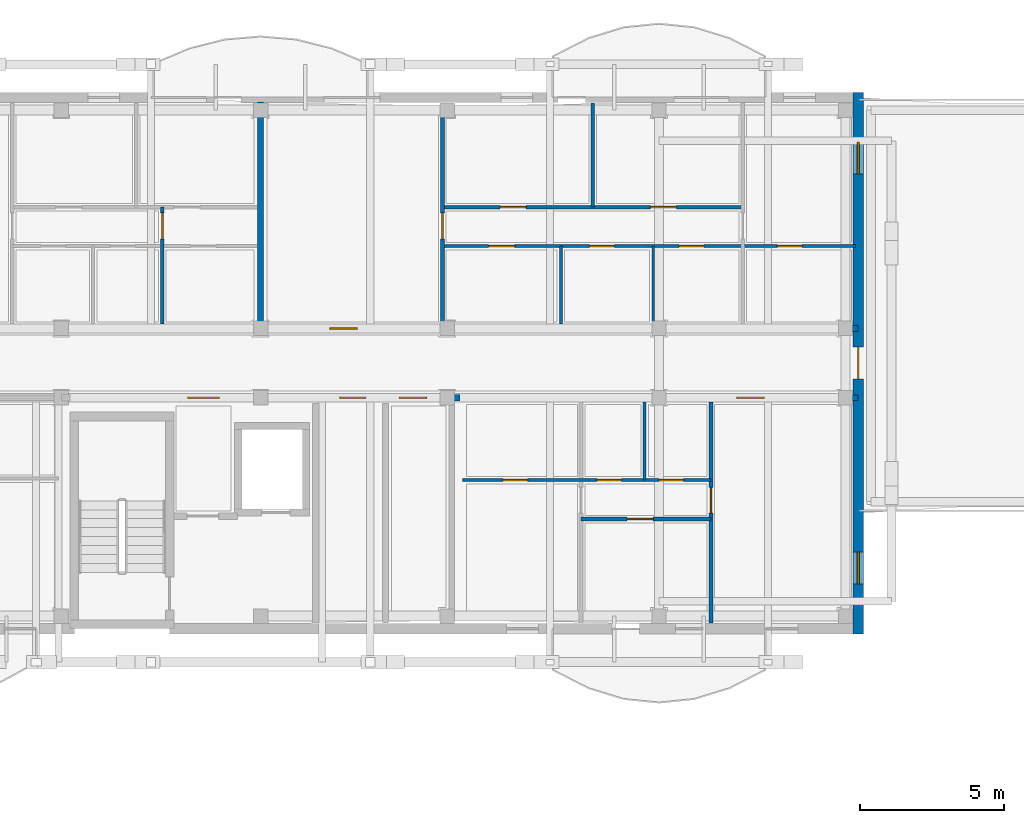
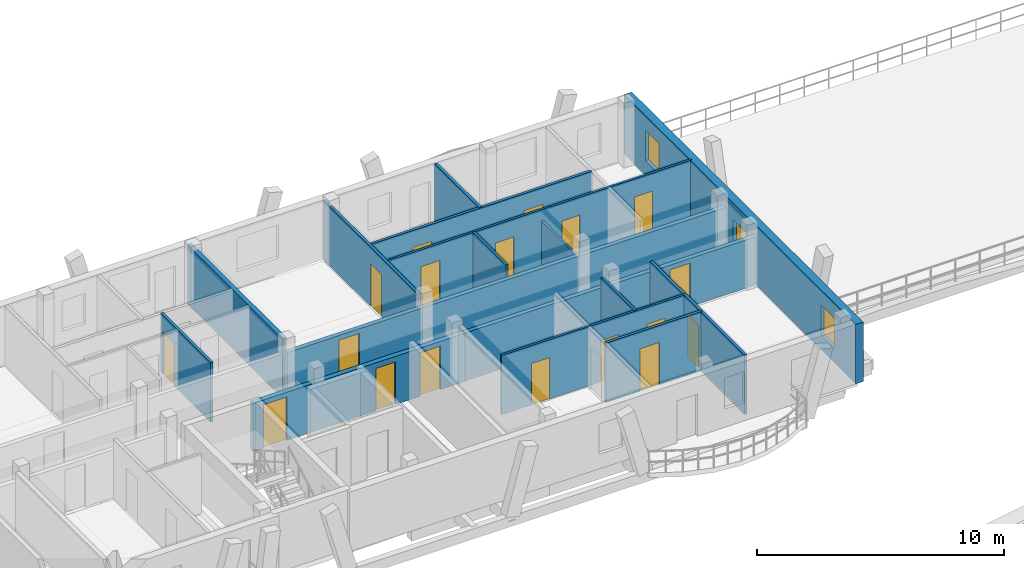
# One storey, part 75 of 109: 19 doors, 16 walls, 2 windows, 21 openings.
"""IFC4 building model written with IfcOpenShell, lengths in metres."""

from ifc_helpers import new_model, si_unit, direction, frame, frame_2d, origin, origin_with_axes, place, context, subcontext, project, spatial, rectangle, extrude, material, layer, layer_set, type_object, element, fill, save


model = new_model("IFC4")

# Units and contexts
model_context = context("Model", 3, precision=1e-05, world=origin(), true_north=direction((0.0, 1.0)))
body_context = subcontext(model_context, "Body", "Model", "MODEL_VIEW")
ifc_project = project(units=[si_unit("LENGTHUNIT", "METRE"), si_unit("AREAUNIT", "SQUARE_METRE"), si_unit("VOLUMEUNIT", "CUBIC_METRE"), si_unit("PLANEANGLEUNIT", "RADIAN"), si_unit("MASSUNIT", "GRAM", prefix="KILO")], contexts=[model_context])

# Site, building, storey
site_placement = place(None, origin())
site = spatial("IfcSite", under=ifc_project, at=site_placement, CompositionType="ELEMENT")
building_placement = place(site_placement, origin())
building = spatial("IfcBuilding", under=site, at=building_placement, Name="Zavelmont Quarter", CompositionType="ELEMENT")
storey_placement = place(building_placement, frame((0.0, 0.0, 8.0)))
storey = spatial("IfcBuildingStorey", under=building, at=storey_placement, Name="L02", CompositionType="ELEMENT", Elevation=8.0)

# Wall, openings, door, windows
ifc_material_1 = material(Name="Natural Belgian limestone", Category="masonry")
ifc_layer_1 = layer(ifc_material_1, 0.360107421875)
ifc_layer_set_1 = layer_set([ifc_layer_1], Name="Natural Belgian limestone")
wall_type_1 = type_object("IfcWallType", Name="EW02", PredefinedType="STANDARD", material=ifc_layer_set_1)
wall_1_placement = place(storey_placement, frame((55.199951171875, 97.419921875, 0.0), z_axis=(0.0, 0.0, 1.0), x_axis=(0.0, 1.0, 0.0)))
wall_1 = element("IfcWall", 1, at=wall_1_placement, inside=storey, type_object=wall_type_1, Name="L02 exterior limestone wall EW02", PredefinedType="STANDARD", context=body_context, shape_type="SweptSolid", body=[
    extrude(rectangle(XDim=18.760009765625, YDim=0.360107421875, at=frame_2d((9.3798828125, 0.0))), origin(), (0.0, 0.0, 1.0), 2.93994140625),
])
opening_1_placement = place(wall_1_placement, frame((8.830078125, 0.0, 0.0)))
opening_1 = element("IfcOpeningElement", 2, at=opening_1_placement, cuts=wall_1, Name="Opening DR04B", PredefinedType="OPENING", context=body_context, shape_type="SweptSolid", body=[
    extrude(rectangle(XDim=1.10009765625, YDim=2.10009765625, at=frame_2d((0.550048828125, 1.050048828125))), frame((0.0, 0.19189453125, 0.0), z_axis=(0.0, -1.0, 0.0), x_axis=(1.0, 0.0, 0.0)), (0.0, 0.0, 1.0), 0.384033203125),
])
opening_2_placement = place(wall_1_placement, frame((1.72998046875, 0.0, 0.719970703125)))
opening_2 = element("IfcOpeningElement", 3, at=opening_2_placement, cuts=wall_1, Name="Opening WN09", PredefinedType="OPENING", context=body_context, shape_type="SweptSolid", body=[
    extrude(rectangle(XDim=1.10009765625, YDim=1.5, at=frame_2d((0.550048828125, 0.75))), frame((0.0, 0.19189453125, 0.0), z_axis=(0.0, -1.0, 0.0), x_axis=(1.0, 0.0, 0.0)), (0.0, 0.0, 1.0), 0.384033203125),
])
opening_3_placement = place(wall_1_placement, frame((15.929931640625, 0.0, 0.719970703125)))
opening_3 = element("IfcOpeningElement", 4, at=opening_3_placement, cuts=wall_1, Name="Opening WN09", PredefinedType="OPENING", context=body_context, shape_type="SweptSolid", body=[
    extrude(rectangle(XDim=1.10009765625, YDim=1.5, at=frame_2d((0.550048828125, 0.75))), frame((0.0, 0.19189453125, 0.0), z_axis=(0.0, -1.0, 0.0), x_axis=(1.0, 0.0, 0.0)), (0.0, 0.0, 1.0), 0.384033203125),
])
ifc_material_2 = material(Name="Thermally broken aluminium and double safety glass", Category="aluminium")
door_type_1 = type_object("IfcDoorType", Name="DR04B", OperationType="NOTDEFINED", PredefinedType="DOOR", material=ifc_material_2)
door_1_placement = place(opening_1_placement, origin_with_axes())
door_1 = element("IfcDoor", 5, at=door_1_placement, inside=storey, type_object=door_type_1, Name="Block B L02 street arcade link door", OperationType="SINGLE_SWING_RIGHT", OverallHeight=2.10009765625, OverallWidth=1.10009765625, PredefinedType="DOOR", context=body_context, shape_type="SweptSolid", body=[
    extrude(rectangle(XDim=1.10009765625, YDim=2.10009765625, at=frame_2d((0.550048828125, 1.050048828125))), frame((0.0, 0.02490234375, 0.0), z_axis=(0.0, -1.0, 0.0), x_axis=(1.0, 0.0, 0.0)), (0.0, 0.0, 1.0), 0.050048828125),
])
fill(opening_1, door_1)
ifc_material_3 = material(Name="Double low-E insulated glazing in thermally broken aluminium frame", Category="aluminium")
window_type = type_object("IfcWindowType", Name="WN09", PartitioningType="SINGLE_PANEL", PredefinedType="WINDOW", material=ifc_material_3)
window_1_placement = place(opening_2_placement, origin_with_axes())
window_1 = element("IfcWindow", 6, at=window_1_placement, inside=storey, type_object=window_type, Name="L02 window WN09", OverallHeight=1.5, OverallWidth=1.10009765625, PartitioningType="SINGLE_PANEL", PredefinedType="WINDOW", context=body_context, shape_type="SweptSolid", body=[
    extrude(rectangle(XDim=1.10009765625, YDim=1.5, at=frame_2d((0.550048828125, 0.75))), frame((0.0, 0.030029296875, 0.0), z_axis=(0.0, -1.0, 0.0), x_axis=(1.0, 0.0, 0.0)), (0.0, 0.0, 1.0), 0.06005859375),
])
fill(opening_2, window_1)
window_2_placement = place(opening_3_placement, origin_with_axes())
window_2 = element("IfcWindow", 7, at=window_2_placement, inside=storey, type_object=window_type, Name="L02 window WN09", OverallHeight=1.5, OverallWidth=1.10009765625, PartitioningType="SINGLE_PANEL", PredefinedType="WINDOW", context=body_context, shape_type="SweptSolid", body=[
    extrude(rectangle(XDim=1.10009765625, YDim=1.5, at=frame_2d((0.550048828125, 0.75))), frame((0.0, 0.030029296875, 0.0), z_axis=(0.0, -1.0, 0.0), x_axis=(1.0, 0.0, 0.0)), (0.0, 0.0, 1.0), 0.06005859375),
])
fill(opening_3, window_2)

# Wall
ifc_material_4 = material(Name="Calcium-silicate blockwork and acoustic plaster", Category="masonry")
ifc_layer_2 = layer(ifc_material_4, 0.199951171875)
ifc_layer_set_2 = layer_set([ifc_layer_2], Name="Calcium-silicate blockwork and acoustic plaster")
wall_type_2 = type_object("IfcWallType", Name="IW01", PredefinedType="PARTITIONING", material=ifc_layer_set_2)
wall_2_placement = place(storey_placement, frame((34.5, 108.14990234375, 0.0), z_axis=(0.0, 0.0, 1.0), x_axis=(0.0, 1.0, 0.0)))
element("IfcWall", 8, at=wall_2_placement, inside=storey, type_object=wall_type_2, Name="L02 Inter-dwelling compartment wall IW01", PredefinedType="PARTITIONING", context=body_context, shape_type="SweptSolid", body=[
    extrude(rectangle(XDim=7.7001953125, YDim=0.199951171875, at=frame_2d((3.85009765625, 0.0))), origin(), (0.0, 0.0, 1.0), 2.93994140625),
])

# Wall, opening, door
wall_3_placement = place(storey_placement, frame((34.5, 108.0, 0.0), z_axis=(0.0, 0.0, 1.0), x_axis=(1.0, 0.0, 0.0)))
wall_3 = element("IfcWall", 9, at=wall_3_placement, inside=storey, type_object=wall_type_2, Name="L02 Corridor compartment wall IW01", PredefinedType="PARTITIONING", context=body_context, shape_type="SweptSolid", body=[
    extrude(rectangle(XDim=20.699951171875, YDim=0.199951171875, at=frame_2d((10.35009765625, 0.0))), origin(), (0.0, 0.0, 1.0), 2.3798828125),
])
opening_4_placement = place(wall_3_placement, frame((2.39990234375, 0.0, 0.0)))
opening_4 = element("IfcOpeningElement", 10, at=opening_4_placement, cuts=wall_3, Name="Opening DR02", PredefinedType="OPENING", context=body_context, shape_type="SweptSolid", body=[
    extrude(rectangle(XDim=0.949951171875, YDim=2.14990234375, at=frame_2d((0.47509765625, 1.074951171875))), frame((0.0, 0.11181640625, 0.0), z_axis=(0.0, -1.0, 0.0), x_axis=(1.0, 0.0, 0.0)), (0.0, 0.0, 1.0), 0.223876953125),
])
ifc_material_5 = material(Name="Solid-core oak fire leaf in steel frame", Category="steel")
door_type_2 = type_object("IfcDoorType", Name="DR02", OperationType="NOTDEFINED", PredefinedType="DOOR", material=ifc_material_5)
door_2_placement = place(opening_4_placement, origin_with_axes())
door_2 = element("IfcDoor", 11, at=door_2_placement, inside=storey, type_object=door_type_2, Name="L02 door DR02", OperationType="SINGLE_SWING_RIGHT", OverallHeight=2.14990234375, OverallWidth=0.949951171875, PredefinedType="DOOR", context=body_context, shape_type="SweptSolid", body=[
    extrude(rectangle(XDim=0.949951171875, YDim=2.14990234375, at=frame_2d((0.47509765625, 1.074951171875))), frame((0.0, 0.02490234375, 0.0), z_axis=(0.0, -1.0, 0.0), x_axis=(1.0, 0.0, 0.0)), (0.0, 0.0, 1.0), 0.050048828125),
])
fill(opening_4, door_2)

wall_4_placement = place(storey_placement, frame((41.39990234375, 105.60009765625, 0.0), z_axis=(0.0, 0.0, 1.0), x_axis=(1.0, 0.0, 0.0)))
wall_4 = element("IfcWall", 12, at=wall_4_placement, inside=storey, type_object=wall_type_2, Name="L02 Corridor compartment wall IW01", PredefinedType="PARTITIONING", context=body_context, shape_type="SweptSolid", body=[
    extrude(rectangle(XDim=13.800048828125, YDim=0.199951171875, at=frame_2d((6.89990234375, 0.0))), origin(), (0.0, 0.0, 1.0), 2.3798828125),
])
opening_5_placement = place(wall_4_placement, frame((9.60009765625, 0.0, 0.0)))
opening_5 = element("IfcOpeningElement", 13, at=opening_5_placement, cuts=wall_4, Name="Opening DR02", PredefinedType="OPENING", context=body_context, shape_type="SweptSolid", body=[
    extrude(rectangle(XDim=0.949951171875, YDim=2.14990234375, at=frame_2d((0.47509765625, 1.074951171875))), frame((0.0, 0.11181640625, 0.0), z_axis=(0.0, -1.0, 0.0), x_axis=(1.0, 0.0, 0.0)), (0.0, 0.0, 1.0), 0.223876953125),
])
door_3_placement = place(opening_5_placement, frame((0.949951171875, 0.0, 0.0), z_axis=(0.0, 0.0, 1.0), x_axis=(-1.0, 0.0, 0.0)))
door_3 = element("IfcDoor", 14, at=door_3_placement, inside=storey, type_object=door_type_2, Name="L02 door DR02", OperationType="SINGLE_SWING_LEFT", OverallHeight=2.14990234375, OverallWidth=0.949951171875, PredefinedType="DOOR", context=body_context, shape_type="SweptSolid", body=[
    extrude(rectangle(XDim=0.949951171875, YDim=2.14990234375, at=frame_2d((0.47509765625, 1.074951171875))), frame((0.0, 0.02490234375, 0.0), z_axis=(0.0, -1.0, 0.0), x_axis=(1.0, 0.0, 0.0)), (0.0, 0.0, 1.0), 0.050048828125),
])
fill(opening_5, door_3)

# Wall, openings, doors
ifc_material_6 = material(Name="Reinforced masonry fire compartment wall", Category="masonry")
ifc_layer_3 = layer(ifc_material_6, 0.22509765625)
ifc_layer_set_3 = layer_set([ifc_layer_3], Name="Reinforced masonry fire compartment wall")
wall_type_3 = type_object("IfcWallType", Name="IW02", PredefinedType="PARTITIONING", material=ifc_layer_set_3)
wall_5_placement = place(storey_placement, frame((31.5, 105.60009765625, 0.0), z_axis=(0.0, 0.0, 1.0), x_axis=(1.0, 0.0, 0.0)))
wall_5 = element("IfcWall", 15, at=wall_5_placement, inside=storey, type_object=wall_type_3, Name="L02 Core corridor fire wall IW02", PredefinedType="PARTITIONING", context=body_context, shape_type="SweptSolid", body=[
    extrude(rectangle(XDim=9.89990234375, YDim=0.22509765625, at=frame_2d((4.949951171875, 0.0))), origin(), (0.0, 0.0, 1.0), 2.3798828125),
])
opening_6_placement = place(wall_5_placement, frame((0.47509765625, 0.0, 0.0)))
opening_6 = element("IfcOpeningElement", 16, at=opening_6_placement, cuts=wall_5, Name="Opening DR10", PredefinedType="OPENING", context=body_context, shape_type="SweptSolid", body=[
    extrude(rectangle(XDim=1.10009765625, YDim=2.14990234375, at=frame_2d((0.550048828125, 1.074951171875))), frame((0.0, 0.12451171875, 0.0), z_axis=(0.0, -1.0, 0.0), x_axis=(1.0, 0.0, 0.0)), (0.0, 0.0, 1.0), 0.2490234375),
])
opening_7_placement = place(wall_5_placement, frame((5.75, 0.0, 0.0)))
opening_7 = element("IfcOpeningElement", 17, at=opening_7_placement, cuts=wall_5, Name="Opening DR11", PredefinedType="OPENING", context=body_context, shape_type="SweptSolid", body=[
    extrude(rectangle(XDim=0.89990234375, YDim=2.10009765625, at=frame_2d((0.449951171875, 1.050048828125))), frame((0.0, 0.12451171875, 0.0), z_axis=(0.0, -1.0, 0.0), x_axis=(1.0, 0.0, 0.0)), (0.0, 0.0, 1.0), 0.2490234375),
])
opening_8_placement = place(wall_5_placement, frame((7.800048828125, 0.0, 0.0)))
opening_8 = element("IfcOpeningElement", 18, at=opening_8_placement, cuts=wall_5, Name="Opening DR02", PredefinedType="OPENING", context=body_context, shape_type="SweptSolid", body=[
    extrude(rectangle(XDim=0.949951171875, YDim=2.14990234375, at=frame_2d((0.47509765625, 1.074951171875))), frame((0.0, 0.12451171875, 0.0), z_axis=(0.0, -1.0, 0.0), x_axis=(1.0, 0.0, 0.0)), (0.0, 0.0, 1.0), 0.2490234375),
])
door_4_placement = place(opening_8_placement, origin_with_axes())
door_4 = element("IfcDoor", 19, at=door_4_placement, inside=storey, type_object=door_type_2, Name="Auxiliary store corridor door", OperationType="SINGLE_SWING_RIGHT", OverallHeight=2.14990234375, OverallWidth=0.949951171875, PredefinedType="DOOR", context=body_context, shape_type="SweptSolid", body=[
    extrude(rectangle(XDim=0.949951171875, YDim=2.14990234375, at=frame_2d((0.47509765625, 1.074951171875))), frame((0.0, 0.02490234375, 0.0), z_axis=(0.0, -1.0, 0.0), x_axis=(1.0, 0.0, 0.0)), (0.0, 0.0, 1.0), 0.050048828125),
])
fill(opening_8, door_4)
ifc_material_7 = material(Name="Painted steel lobby fire door", Category="steel")
door_type_3 = type_object("IfcDoorType", Name="DR10", OperationType="NOTDEFINED", PredefinedType="DOOR", material=ifc_material_7)
door_5_placement = place(opening_6_placement, frame((1.10009765625, 0.0, 0.0), z_axis=(0.0, 0.0, 1.0), x_axis=(-1.0, 0.0, 0.0)))
door_5 = element("IfcDoor", 20, at=door_5_placement, inside=storey, type_object=door_type_3, Name="Core vestibule fire door", OperationType="SINGLE_SWING_RIGHT", OverallHeight=2.14990234375, OverallWidth=1.10009765625, PredefinedType="DOOR", context=body_context, shape_type="SweptSolid", body=[
    extrude(rectangle(XDim=1.10009765625, YDim=2.14990234375, at=frame_2d((0.550048828125, 1.074951171875))), frame((0.0, 0.02490234375, 0.0), z_axis=(0.0, -1.0, 0.0), x_axis=(1.0, 0.0, 0.0)), (0.0, 0.0, 1.0), 0.050048828125),
])
fill(opening_6, door_5)
ifc_material_8 = material(Name="Painted steel service-riser fire door", Category="steel")
door_type_4 = type_object("IfcDoorType", Name="DR11", OperationType="NOTDEFINED", PredefinedType="DOOR", material=ifc_material_8)
door_6_placement = place(opening_7_placement, origin_with_axes())
door_6 = element("IfcDoor", 21, at=door_6_placement, inside=storey, type_object=door_type_4, Name="Service riser fire door", OperationType="SINGLE_SWING_LEFT", OverallHeight=2.10009765625, OverallWidth=0.89990234375, PredefinedType="DOOR", context=body_context, shape_type="SweptSolid", body=[
    extrude(rectangle(XDim=0.89990234375, YDim=2.10009765625, at=frame_2d((0.449951171875, 1.050048828125))), frame((0.0, 0.02490234375, 0.0), z_axis=(0.0, -1.0, 0.0), x_axis=(1.0, 0.0, 0.0)), (0.0, 0.0, 1.0), 0.050048828125),
])
fill(opening_7, door_6)

# Wall, opening, door
ifc_material_9 = material(Name="Double gypsum board on acoustic steel stud", Category="steel")
ifc_layer_4 = layer(ifc_material_9, 0.125)
ifc_layer_set_4 = layer_set([ifc_layer_4], Name="Double gypsum board on acoustic steel stud")
wall_type_4 = type_object("IfcWallType", Name="IW03", PredefinedType="PARTITIONING", material=ifc_layer_set_4)
wall_6_placement = place(storey_placement, frame((31.10009765625, 108.14990234375, 0.0), z_axis=(0.0, 0.0, 1.0), x_axis=(0.0, 1.0, 0.0)))
wall_6 = element("IfcWall", 22, at=wall_6_placement, inside=storey, type_object=wall_type_4, Name="L02 Partition IW03", PredefinedType="PARTITIONING", context=body_context, shape_type="SweptSolid", body=[
    extrude(rectangle(XDim=4.050048828125, YDim=0.125, at=frame_2d((2.02490234375, 0.0))), origin(), (0.0, 0.0, 1.0), 2.93994140625),
])
opening_9_placement = place(wall_6_placement, frame((2.949951171875, 0.0, 0.0)))
opening_9 = element("IfcOpeningElement", 23, at=opening_9_placement, cuts=wall_6, Name="Opening DR05", PredefinedType="OPENING", context=body_context, shape_type="SweptSolid", body=[
    extrude(rectangle(XDim=0.89990234375, YDim=2.10009765625, at=frame_2d((0.449951171875, 1.050048828125))), frame((0.0, 0.074462890625, 0.0), z_axis=(0.0, -1.0, 0.0), x_axis=(1.0, 0.0, 0.0)), (0.0, 0.0, 1.0), 0.14892578125),
])
ifc_material_10 = material(Name="Engineered oak flush interior door")
door_type_5 = type_object("IfcDoorType", Name="DR05", OperationType="NOTDEFINED", PredefinedType="DOOR", material=ifc_material_10)
door_7_placement = place(opening_9_placement, origin_with_axes())
door_7 = element("IfcDoor", 24, at=door_7_placement, inside=storey, type_object=door_type_5, Name="L02 door DR05", OperationType="SINGLE_SWING_RIGHT", OverallHeight=2.10009765625, OverallWidth=0.89990234375, PredefinedType="DOOR", context=body_context, shape_type="SweptSolid", body=[
    extrude(rectangle(XDim=0.89990234375, YDim=2.10009765625, at=frame_2d((0.449951171875, 1.050048828125))), frame((0.0, 0.02490234375, 0.0), z_axis=(0.0, -1.0, 0.0), x_axis=(1.0, 0.0, 0.0)), (0.0, 0.0, 1.0), 0.050048828125),
])
fill(opening_9, door_7)

wall_7_placement = place(storey_placement, frame((40.800048828125, 108.14990234375, 0.0), z_axis=(0.0, 0.0, 1.0), x_axis=(0.0, 1.0, 0.0)))
wall_7 = element("IfcWall", 25, at=wall_7_placement, inside=storey, type_object=wall_type_4, Name="L02 Partition IW03", PredefinedType="PARTITIONING", context=body_context, shape_type="SweptSolid", body=[
    extrude(rectangle(XDim=7.650146484375, YDim=0.125, at=frame_2d((3.8251953125, 0.0))), origin(), (0.0, 0.0, 1.0), 2.93994140625),
])
opening_10_placement = place(wall_7_placement, frame((2.949951171875, 0.0, 0.0)))
opening_10 = element("IfcOpeningElement", 26, at=opening_10_placement, cuts=wall_7, Name="Opening DR05", PredefinedType="OPENING", context=body_context, shape_type="SweptSolid", body=[
    extrude(rectangle(XDim=0.89990234375, YDim=2.10009765625, at=frame_2d((0.449951171875, 1.050048828125))), frame((0.0, 0.074462890625, 0.0), z_axis=(0.0, -1.0, 0.0), x_axis=(1.0, 0.0, 0.0)), (0.0, 0.0, 1.0), 0.14892578125),
])
door_8_placement = place(opening_10_placement, frame((0.89990234375, 0.0, 0.0), z_axis=(0.0, 0.0, 1.0), x_axis=(-1.0, 0.0, 0.0)))
door_8 = element("IfcDoor", 27, at=door_8_placement, inside=storey, type_object=door_type_5, Name="L02 door DR05", OperationType="SINGLE_SWING_RIGHT", OverallHeight=2.10009765625, OverallWidth=0.89990234375, PredefinedType="DOOR", context=body_context, shape_type="SweptSolid", body=[
    extrude(rectangle(XDim=0.89990234375, YDim=2.10009765625, at=frame_2d((0.449951171875, 1.050048828125))), frame((0.0, 0.02490234375, 0.0), z_axis=(0.0, -1.0, 0.0), x_axis=(1.0, 0.0, 0.0)), (0.0, 0.0, 1.0), 0.050048828125),
])
fill(opening_10, door_8)

# Wall
wall_8_placement = place(storey_placement, frame((46.0, 112.199951171875, 0.0), z_axis=(0.0, 0.0, 1.0), x_axis=(0.0, 1.0, 0.0)))
element("IfcWall", 28, at=wall_8_placement, inside=storey, type_object=wall_type_4, Name="L02 Partition IW03", PredefinedType="PARTITIONING", context=body_context, shape_type="SweptSolid", body=[
    extrude(rectangle(XDim=3.60009765625, YDim=0.125, at=frame_2d((1.800048828125, 0.0))), origin(), (0.0, 0.0, 1.0), 2.93994140625),
])

# Wall, openings, doors
wall_9_placement = place(storey_placement, frame((40.800048828125, 112.199951171875, 0.0), z_axis=(0.0, 0.0, 1.0), x_axis=(1.0, 0.0, 0.0)))
wall_9 = element("IfcWall", 29, at=wall_9_placement, inside=storey, type_object=wall_type_4, Name="L02 Partition IW03", PredefinedType="PARTITIONING", context=body_context, shape_type="SweptSolid", body=[
    extrude(rectangle(XDim=10.39990234375, YDim=0.125, at=frame_2d((5.199951171875, 0.0))), origin(), (0.0, 0.0, 1.0), 2.93994140625),
])
opening_11_placement = place(wall_9_placement, frame((2.0, 0.0, 0.0)))
opening_11 = element("IfcOpeningElement", 30, at=opening_11_placement, cuts=wall_9, Name="Opening DR05", PredefinedType="OPENING", context=body_context, shape_type="SweptSolid", body=[
    extrude(rectangle(XDim=0.89990234375, YDim=2.10009765625, at=frame_2d((0.449951171875, 1.050048828125))), frame((0.0, 0.074462890625, 0.0), z_axis=(0.0, -1.0, 0.0), x_axis=(1.0, 0.0, 0.0)), (0.0, 0.0, 1.0), 0.14892578125),
])
opening_12_placement = place(wall_9_placement, frame((7.199951171875, 0.0, 0.0)))
opening_12 = element("IfcOpeningElement", 31, at=opening_12_placement, cuts=wall_9, Name="Opening DR05", PredefinedType="OPENING", context=body_context, shape_type="SweptSolid", body=[
    extrude(rectangle(XDim=0.89990234375, YDim=2.10009765625, at=frame_2d((0.449951171875, 1.050048828125))), frame((0.0, 0.074462890625, 0.0), z_axis=(0.0, -1.0, 0.0), x_axis=(1.0, 0.0, 0.0)), (0.0, 0.0, 1.0), 0.14892578125),
])
door_9_placement = place(opening_11_placement, frame((0.89990234375, 0.0, 0.0), z_axis=(0.0, 0.0, 1.0), x_axis=(-1.0, 0.0, 0.0)))
door_9 = element("IfcDoor", 32, at=door_9_placement, inside=storey, type_object=door_type_5, Name="L02 door DR05", OperationType="SINGLE_SWING_RIGHT", OverallHeight=2.10009765625, OverallWidth=0.89990234375, PredefinedType="DOOR", context=body_context, shape_type="SweptSolid", body=[
    extrude(rectangle(XDim=0.89990234375, YDim=2.10009765625, at=frame_2d((0.449951171875, 1.050048828125))), frame((0.0, 0.02490234375, 0.0), z_axis=(0.0, -1.0, 0.0), x_axis=(1.0, 0.0, 0.0)), (0.0, 0.0, 1.0), 0.050048828125),
])
fill(opening_11, door_9)
door_10_placement = place(opening_12_placement, origin_with_axes())
door_10 = element("IfcDoor", 33, at=door_10_placement, inside=storey, type_object=door_type_5, Name="L02 door DR05", OperationType="SINGLE_SWING_LEFT", OverallHeight=2.10009765625, OverallWidth=0.89990234375, PredefinedType="DOOR", context=body_context, shape_type="SweptSolid", body=[
    extrude(rectangle(XDim=0.89990234375, YDim=2.10009765625, at=frame_2d((0.449951171875, 1.050048828125))), frame((0.0, 0.02490234375, 0.0), z_axis=(0.0, -1.0, 0.0), x_axis=(1.0, 0.0, 0.0)), (0.0, 0.0, 1.0), 0.050048828125),
])
fill(opening_12, door_10)

# Wall, opening, door
wall_10_placement = place(storey_placement, frame((50.10009765625, 105.449951171875, 0.0), z_axis=(0.0, 0.0, 1.0), x_axis=(0.0, -1.0, 0.0)))
wall_10 = element("IfcWall", 34, at=wall_10_placement, inside=storey, type_object=wall_type_4, Name="L02 Partition IW03", PredefinedType="PARTITIONING", context=body_context, shape_type="SweptSolid", body=[
    extrude(rectangle(XDim=7.64990234375, YDim=0.125, at=frame_2d((3.824951171875, 0.0))), origin(), (0.0, 0.0, 1.0), 2.93994140625),
])
opening_13_placement = place(wall_10_placement, frame((2.949951171875, 0.0, 0.0)))
opening_13 = element("IfcOpeningElement", 35, at=opening_13_placement, cuts=wall_10, Name="Opening DR05", PredefinedType="OPENING", context=body_context, shape_type="SweptSolid", body=[
    extrude(rectangle(XDim=0.89990234375, YDim=2.10009765625, at=frame_2d((0.449951171875, 1.050048828125))), frame((0.0, 0.074462890625, 0.0), z_axis=(0.0, -1.0, 0.0), x_axis=(1.0, 0.0, 0.0)), (0.0, 0.0, 1.0), 0.14892578125),
])
door_11_placement = place(opening_13_placement, frame((0.89990234375, 0.0, 0.0), z_axis=(0.0, 0.0, 1.0), x_axis=(-1.0, 0.0, 0.0)))
door_11 = element("IfcDoor", 36, at=door_11_placement, inside=storey, type_object=door_type_5, Name="L02 door DR05", OperationType="SINGLE_SWING_LEFT", OverallHeight=2.10009765625, OverallWidth=0.89990234375, PredefinedType="DOOR", context=body_context, shape_type="SweptSolid", body=[
    extrude(rectangle(XDim=0.89990234375, YDim=2.10009765625, at=frame_2d((0.449951171875, 1.050048828125))), frame((0.0, 0.02490234375, 0.0), z_axis=(0.0, -1.0, 0.0), x_axis=(1.0, 0.0, 0.0)), (0.0, 0.0, 1.0), 0.050048828125),
])
fill(opening_13, door_11)

wall_11_placement = place(storey_placement, frame((45.60009765625, 101.39990234375, 0.0), z_axis=(0.0, 0.0, 1.0), x_axis=(1.0, 0.0, 0.0)))
wall_11 = element("IfcWall", 37, at=wall_11_placement, inside=storey, type_object=wall_type_4, Name="L02 Partition IW03", PredefinedType="PARTITIONING", context=body_context, shape_type="SweptSolid", body=[
    extrude(rectangle(XDim=4.5, YDim=0.125, at=frame_2d((2.25, 0.0))), origin(), (0.0, 0.0, 1.0), 2.93994140625),
])
opening_14_placement = place(wall_11_placement, frame((1.60009765625, 0.0, 0.0)))
opening_14 = element("IfcOpeningElement", 38, at=opening_14_placement, cuts=wall_11, Name="Opening DR05", PredefinedType="OPENING", context=body_context, shape_type="SweptSolid", body=[
    extrude(rectangle(XDim=0.89990234375, YDim=2.10009765625, at=frame_2d((0.449951171875, 1.050048828125))), frame((0.0, 0.074462890625, 0.0), z_axis=(0.0, -1.0, 0.0), x_axis=(1.0, 0.0, 0.0)), (0.0, 0.0, 1.0), 0.14892578125),
])
door_12_placement = place(opening_14_placement, origin_with_axes())
door_12 = element("IfcDoor", 39, at=door_12_placement, inside=storey, type_object=door_type_5, Name="L02 door DR05", OperationType="SINGLE_SWING_RIGHT", OverallHeight=2.10009765625, OverallWidth=0.89990234375, PredefinedType="DOOR", context=body_context, shape_type="SweptSolid", body=[
    extrude(rectangle(XDim=0.89990234375, YDim=2.10009765625, at=frame_2d((0.449951171875, 1.050048828125))), frame((0.0, 0.02490234375, 0.0), z_axis=(0.0, -1.0, 0.0), x_axis=(1.0, 0.0, 0.0)), (0.0, 0.0, 1.0), 0.050048828125),
])
fill(opening_14, door_12)

# Walls
ifc_material_11 = material(Name="Moisture-resistant gypsum board on steel stud", Category="steel")
ifc_layer_5 = layer(ifc_material_11, 0.10009765625)
ifc_layer_set_5 = layer_set([ifc_layer_5], Name="Moisture-resistant gypsum board on steel stud")
wall_type_5 = type_object("IfcWallType", Name="IW04", PredefinedType="PARTITIONING", material=ifc_layer_set_5)
wall_12_placement = place(storey_placement, frame((44.89990234375, 108.14990234375, 0.0), z_axis=(0.0, 0.0, 1.0), x_axis=(0.0, 1.0, 0.0)))
element("IfcWall", 40, at=wall_12_placement, inside=storey, type_object=wall_type_5, Name="L02 Partition IW04", PredefinedType="PARTITIONING", context=body_context, shape_type="SweptSolid", body=[
    extrude(rectangle(XDim=2.7001953125, YDim=0.10009765625, at=frame_2d((1.35009765625, 0.0))), origin(), (0.0, 0.0, 1.0), 2.93994140625),
])
wall_13_placement = place(storey_placement, frame((48.10009765625, 108.14990234375, 0.0), z_axis=(0.0, 0.0, 1.0), x_axis=(0.0, 1.0, 0.0)))
element("IfcWall", 41, at=wall_13_placement, inside=storey, type_object=wall_type_5, Name="L02 Partition IW04", PredefinedType="PARTITIONING", context=body_context, shape_type="SweptSolid", body=[
    extrude(rectangle(XDim=2.7001953125, YDim=0.10009765625, at=frame_2d((1.35009765625, 0.0))), origin(), (0.0, 0.0, 1.0), 2.3798828125),
])

# Wall, openings, doors
wall_14_placement = place(storey_placement, frame((40.800048828125, 110.85009765625, 0.0), z_axis=(0.0, 0.0, 1.0), x_axis=(1.0, 0.0, 0.0)))
wall_14 = element("IfcWall", 42, at=wall_14_placement, inside=storey, type_object=wall_type_5, Name="L02 Partition IW04", PredefinedType="PARTITIONING", context=body_context, shape_type="SweptSolid", body=[
    extrude(rectangle(XDim=14.300048828125, YDim=0.10009765625, at=frame_2d((7.14990234375, 0.0))), origin(), (0.0, 0.0, 1.0), 2.93994140625),
])
opening_15_placement = place(wall_14_placement, frame((1.60009765625, 0.0, 0.0)))
opening_15 = element("IfcOpeningElement", 43, at=opening_15_placement, cuts=wall_14, Name="Opening DR05", PredefinedType="OPENING", context=body_context, shape_type="SweptSolid", body=[
    extrude(rectangle(XDim=0.89990234375, YDim=2.10009765625, at=frame_2d((0.449951171875, 1.050048828125))), frame((0.0, 0.06201171875, 0.0), z_axis=(0.0, -1.0, 0.0), x_axis=(1.0, 0.0, 0.0)), (0.0, 0.0, 1.0), 0.1240234375),
])
opening_16_placement = place(wall_14_placement, frame((5.10009765625, 0.0, 0.0)))
opening_16 = element("IfcOpeningElement", 44, at=opening_16_placement, cuts=wall_14, Name="Opening DR06", PredefinedType="OPENING", context=body_context, shape_type="SweptSolid", body=[
    extrude(rectangle(XDim=0.85009765625, YDim=2.050048828125, at=frame_2d((0.425048828125, 1.02490234375))), frame((0.0, 0.06201171875, 0.0), z_axis=(0.0, -1.0, 0.0), x_axis=(1.0, 0.0, 0.0)), (0.0, 0.0, 1.0), 0.1240234375),
])
opening_17_placement = place(wall_14_placement, frame((8.199951171875, 0.0, 0.0)))
opening_17 = element("IfcOpeningElement", 45, at=opening_17_placement, cuts=wall_14, Name="Opening DR06", PredefinedType="OPENING", context=body_context, shape_type="SweptSolid", body=[
    extrude(rectangle(XDim=0.85009765625, YDim=2.050048828125, at=frame_2d((0.425048828125, 1.02490234375))), frame((0.0, 0.06201171875, 0.0), z_axis=(0.0, -1.0, 0.0), x_axis=(1.0, 0.0, 0.0)), (0.0, 0.0, 1.0), 0.1240234375),
])
opening_18_placement = place(wall_14_placement, frame((11.60009765625, 0.0, 0.0)))
opening_18 = element("IfcOpeningElement", 46, at=opening_18_placement, cuts=wall_14, Name="Opening DR06", PredefinedType="OPENING", context=body_context, shape_type="SweptSolid", body=[
    extrude(rectangle(XDim=0.85009765625, YDim=2.050048828125, at=frame_2d((0.425048828125, 1.02490234375))), frame((0.0, 0.06201171875, 0.0), z_axis=(0.0, -1.0, 0.0), x_axis=(1.0, 0.0, 0.0)), (0.0, 0.0, 1.0), 0.1240234375),
])
door_13_placement = place(opening_15_placement, frame((0.89990234375, 0.0, 0.0), z_axis=(0.0, 0.0, 1.0), x_axis=(-1.0, 0.0, 0.0)))
door_13 = element("IfcDoor", 47, at=door_13_placement, inside=storey, type_object=door_type_5, Name="L02 door DR05", OperationType="SINGLE_SWING_RIGHT", OverallHeight=2.10009765625, OverallWidth=0.89990234375, PredefinedType="DOOR", context=body_context, shape_type="SweptSolid", body=[
    extrude(rectangle(XDim=0.89990234375, YDim=2.10009765625, at=frame_2d((0.449951171875, 1.050048828125))), frame((0.0, 0.02490234375, 0.0), z_axis=(0.0, -1.0, 0.0), x_axis=(1.0, 0.0, 0.0)), (0.0, 0.0, 1.0), 0.050048828125),
])
fill(opening_15, door_13)
ifc_material_12 = material(Name="Moisture-resistant painted wet-room door")
door_type_6 = type_object("IfcDoorType", Name="DR06", OperationType="NOTDEFINED", PredefinedType="DOOR", material=ifc_material_12)
door_14_placement = place(opening_16_placement, origin_with_axes())
door_14 = element("IfcDoor", 48, at=door_14_placement, inside=storey, type_object=door_type_6, Name="L02 door DR06", OperationType="SINGLE_SWING_LEFT", OverallHeight=2.050048828125, OverallWidth=0.85009765625, PredefinedType="DOOR", context=body_context, shape_type="SweptSolid", body=[
    extrude(rectangle(XDim=0.85009765625, YDim=2.050048828125, at=frame_2d((0.425048828125, 1.02490234375))), frame((0.0, 0.02490234375, 0.0), z_axis=(0.0, -1.0, 0.0), x_axis=(1.0, 0.0, 0.0)), (0.0, 0.0, 1.0), 0.050048828125),
])
fill(opening_16, door_14)
door_15_placement = place(opening_17_placement, frame((0.85009765625, 0.0, 0.0), z_axis=(0.0, 0.0, 1.0), x_axis=(-1.0, 0.0, 0.0)))
door_15 = element("IfcDoor", 49, at=door_15_placement, inside=storey, type_object=door_type_6, Name="L02 door DR06", OperationType="SINGLE_SWING_RIGHT", OverallHeight=2.050048828125, OverallWidth=0.85009765625, PredefinedType="DOOR", context=body_context, shape_type="SweptSolid", body=[
    extrude(rectangle(XDim=0.85009765625, YDim=2.050048828125, at=frame_2d((0.425048828125, 1.02490234375))), frame((0.0, 0.02490234375, 0.0), z_axis=(0.0, -1.0, 0.0), x_axis=(1.0, 0.0, 0.0)), (0.0, 0.0, 1.0), 0.050048828125),
])
fill(opening_17, door_15)
door_16_placement = place(opening_18_placement, origin_with_axes())
door_16 = element("IfcDoor", 50, at=door_16_placement, inside=storey, type_object=door_type_6, Name="L02 door DR06", OperationType="SINGLE_SWING_LEFT", OverallHeight=2.050048828125, OverallWidth=0.85009765625, PredefinedType="DOOR", context=body_context, shape_type="SweptSolid", body=[
    extrude(rectangle(XDim=0.85009765625, YDim=2.050048828125, at=frame_2d((0.425048828125, 1.02490234375))), frame((0.0, 0.02490234375, 0.0), z_axis=(0.0, -1.0, 0.0), x_axis=(1.0, 0.0, 0.0)), (0.0, 0.0, 1.0), 0.050048828125),
])
fill(opening_18, door_16)

# Wall
wall_15_placement = place(storey_placement, frame((47.800048828125, 105.449951171875, 0.0), z_axis=(0.0, 0.0, 1.0), x_axis=(0.0, -1.0, 0.0)))
element("IfcWall", 51, at=wall_15_placement, inside=storey, type_object=wall_type_5, Name="L02 Partition IW04", PredefinedType="PARTITIONING", context=body_context, shape_type="SweptSolid", body=[
    extrude(rectangle(XDim=2.699951171875, YDim=0.10009765625, at=frame_2d((1.35009765625, 0.0))), origin(), (0.0, 0.0, 1.0), 2.93994140625),
])

# Wall, openings, doors
wall_16_placement = place(storey_placement, frame((41.5, 102.75, 0.0), z_axis=(0.0, 0.0, 1.0), x_axis=(1.0, 0.0, 0.0)))
wall_16 = element("IfcWall", 52, at=wall_16_placement, inside=storey, type_object=wall_type_5, Name="L02 Partition IW04", PredefinedType="PARTITIONING", context=body_context, shape_type="SweptSolid", body=[
    extrude(rectangle(XDim=8.60009765625, YDim=0.10009765625, at=frame_2d((4.300048828125, 0.0))), origin(), (0.0, 0.0, 1.0), 2.93994140625),
])
opening_19_placement = place(wall_16_placement, frame((1.39990234375, 0.0, 0.0)))
opening_19 = element("IfcOpeningElement", 53, at=opening_19_placement, cuts=wall_16, Name="Opening DR06", PredefinedType="OPENING", context=body_context, shape_type="SweptSolid", body=[
    extrude(rectangle(XDim=0.85009765625, YDim=2.050048828125, at=frame_2d((0.425048828125, 1.02490234375))), frame((0.0, 0.06201171875, 0.0), z_axis=(0.0, -1.0, 0.0), x_axis=(1.0, 0.0, 0.0)), (0.0, 0.0, 1.0), 0.1240234375),
])
opening_20_placement = place(wall_16_placement, frame((4.64990234375, 0.0, 0.0)))
opening_20 = element("IfcOpeningElement", 54, at=opening_20_placement, cuts=wall_16, Name="Opening DR06", PredefinedType="OPENING", context=body_context, shape_type="SweptSolid", body=[
    extrude(rectangle(XDim=0.85009765625, YDim=2.050048828125, at=frame_2d((0.425048828125, 1.02490234375))), frame((0.0, 0.06201171875, 0.0), z_axis=(0.0, -1.0, 0.0), x_axis=(1.0, 0.0, 0.0)), (0.0, 0.0, 1.0), 0.1240234375),
])
opening_21_placement = place(wall_16_placement, frame((6.800048828125, 0.0, 0.0)))
opening_21 = element("IfcOpeningElement", 55, at=opening_21_placement, cuts=wall_16, Name="Opening DR16", PredefinedType="OPENING", context=body_context, shape_type="SweptSolid", body=[
    extrude(rectangle(XDim=0.85009765625, YDim=2.10009765625, at=frame_2d((0.425048828125, 1.050048828125))), frame((0.0, 0.06201171875, 0.0), z_axis=(0.0, -1.0, 0.0), x_axis=(1.0, 0.0, 0.0)), (0.0, 0.0, 1.0), 0.1240234375),
])
door_17_placement = place(opening_19_placement, frame((0.85009765625, 0.0, 0.0), z_axis=(0.0, 0.0, 1.0), x_axis=(-1.0, 0.0, 0.0)))
door_17 = element("IfcDoor", 56, at=door_17_placement, inside=storey, type_object=door_type_6, Name="L02 door DR06", OperationType="SINGLE_SWING_LEFT", OverallHeight=2.050048828125, OverallWidth=0.85009765625, PredefinedType="DOOR", context=body_context, shape_type="SweptSolid", body=[
    extrude(rectangle(XDim=0.85009765625, YDim=2.050048828125, at=frame_2d((0.425048828125, 1.02490234375))), frame((0.0, 0.02490234375, 0.0), z_axis=(0.0, -1.0, 0.0), x_axis=(1.0, 0.0, 0.0)), (0.0, 0.0, 1.0), 0.050048828125),
])
fill(opening_19, door_17)
door_18_placement = place(opening_20_placement, origin_with_axes())
door_18 = element("IfcDoor", 57, at=door_18_placement, inside=storey, type_object=door_type_6, Name="L02 door DR06", OperationType="SINGLE_SWING_RIGHT", OverallHeight=2.050048828125, OverallWidth=0.85009765625, PredefinedType="DOOR", context=body_context, shape_type="SweptSolid", body=[
    extrude(rectangle(XDim=0.85009765625, YDim=2.050048828125, at=frame_2d((0.425048828125, 1.02490234375))), frame((0.0, 0.02490234375, 0.0), z_axis=(0.0, -1.0, 0.0), x_axis=(1.0, 0.0, 0.0)), (0.0, 0.0, 1.0), 0.050048828125),
])
fill(opening_20, door_18)
door_type_7 = type_object("IfcDoorType", Name="DR16", OperationType="NOTDEFINED", PredefinedType="DOOR", material=ifc_material_10)
door_19_placement = place(opening_21_placement, frame((0.85009765625, 0.0, 0.0), z_axis=(0.0, 0.0, 1.0), x_axis=(-1.0, 0.0, 0.0)))
door_19 = element("IfcDoor", 58, at=door_19_placement, inside=storey, type_object=door_type_7, Name="L02 door DR16", OperationType="SINGLE_SWING_LEFT", OverallHeight=2.10009765625, OverallWidth=0.85009765625, PredefinedType="DOOR", context=body_context, shape_type="SweptSolid", body=[
    extrude(rectangle(XDim=0.85009765625, YDim=2.10009765625, at=frame_2d((0.425048828125, 1.050048828125))), frame((0.0, 0.02490234375, 0.0), z_axis=(0.0, -1.0, 0.0), x_axis=(1.0, 0.0, 0.0)), (0.0, 0.0, 1.0), 0.050048828125),
])
fill(opening_21, door_19)

save(model, "model.ifc")
